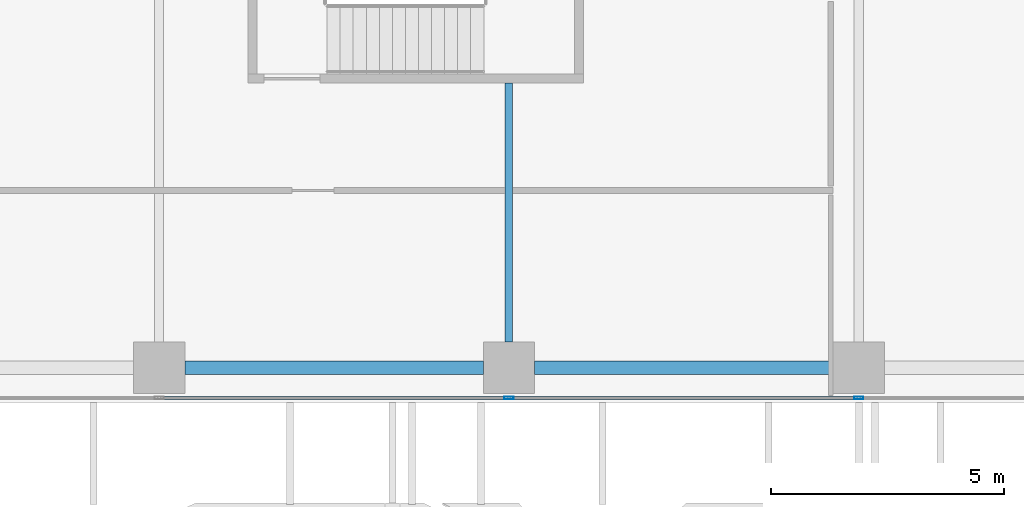
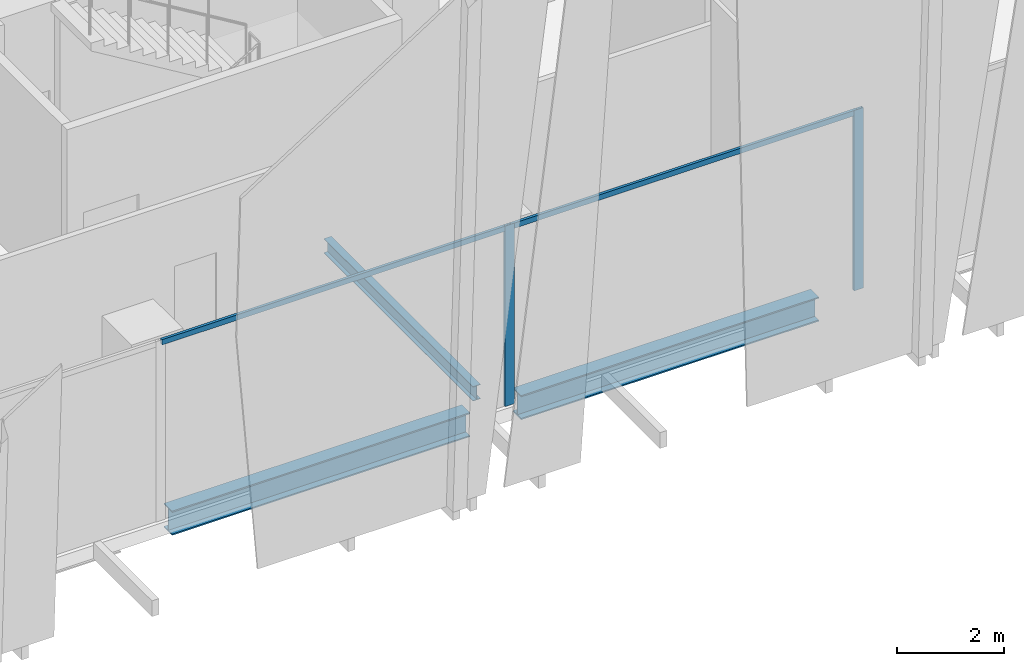
# One storey, part 3 of 35: 4 members, 3 beams, 1 element without a shape of its own.
"""IFC4 building model written with IfcOpenShell, lengths in metres."""

from ifc_helpers import new_model, si_unit, direction, frame, origin, origin_2d, place, context, subcontext, project, spatial, hollow_rectangle, i_section, extrude, source, transform, mapped, material, material_profile, profile_set, type_object, element, aggregate, save


model = new_model("IFC4")

# Units and contexts
model_context = context("Model", 3, precision=1e-05, world=origin(), true_north=direction((0.0, 1.0)))
body_context = subcontext(model_context, "Body", "Model", "MODEL_VIEW")
ifc_project = project(units=[si_unit("LENGTHUNIT", "METRE"), si_unit("AREAUNIT", "SQUARE_METRE"), si_unit("VOLUMEUNIT", "CUBIC_METRE"), si_unit("PLANEANGLEUNIT", "RADIAN"), si_unit("MASSUNIT", "GRAM", prefix="KILO")], contexts=[model_context])

# Site, building, storey
site_placement = place(None, origin())
site = spatial("IfcSite", under=ifc_project, at=site_placement, CompositionType="ELEMENT")
building_placement = place(site_placement, origin())
building = spatial("IfcBuilding", under=site, at=building_placement, Name="Khomas Fold Tower", CompositionType="ELEMENT")
storey_placement = place(building_placement, frame((0.0, 0.0, 127.89990234375)))
storey = spatial("IfcBuildingStorey", under=building, at=storey_placement, Name="L27", CompositionType="ELEMENT", Elevation=127.89990234375)

# Beams
ifc_material_1 = material(Name="Steel S355", Category="steel")
ifc_material_profile_1 = material_profile(ifc_material_1, i_section(OverallWidth=0.300048828125, OverallDepth=0.550048828125, WebThickness=0.014892578125, FlangeThickness=0.029052734375, at=origin_2d()), Name="HE 550 B")
ifc_profile_set_1 = profile_set([ifc_material_profile_1], Name="Steel S355")
beam_type_1 = type_object("IfcBeamType", Name="HE 550 B spandrel SB2", PredefinedType="SPANDREL", material=ifc_profile_set_1)
shared_shape_1 = source(origin(), body_context, "Body", "SweptSolid", [
    extrude(i_section(OverallWidth=0.300048828125, OverallDepth=0.550048828125, WebThickness=0.014892578125, FlangeThickness=0.029052734375, at=origin_2d()), origin(), (0.0, 0.0, 1.0), 6.39990234375),
])
for number, where, z_axis, x_axis, name in (
    (1, (12.550048828125, 2.25, -0.574951171875), (1.0, 0.0, 0.0), (0.0, 1.0, 0.0), "SB2"),
    (2, (20.050048828125, 2.25, -0.574951171875), (1.0, 0.0, 0.0), (0.0, 1.0, 0.0), "SB2"),
):
    element("IfcBeam", number, at=place(storey_placement, frame(where, z_axis=z_axis, x_axis=x_axis)), inside=storey, type_object=beam_type_1, Name=name, PredefinedType="SPANDREL", context=body_context, shape_type="MappedRepresentation", body=[
        mapped(shared_shape_1, transform((0.0, 0.0, 0.0))),
    ])
ifc_material_2 = material(Name="Steel S355", Category="steel")
ifc_material_profile_2 = material_profile(ifc_material_2, i_section(OverallWidth=0.159912109375, OverallDepth=0.330078125, WebThickness=0.007568359375, FlangeThickness=0.011474609375, at=origin_2d()), Name="IPE 330")
ifc_profile_set_2 = profile_set([ifc_material_profile_2], Name="Steel S355")
beam_type_2 = type_object("IfcBeamType", Name="IPE 330 beam JB1", PredefinedType="BEAM", material=ifc_profile_set_2)
shared_shape_2 = source(origin(), body_context, "Body", "SweptSolid", [
    extrude(i_section(OverallWidth=0.159912109375, OverallDepth=0.330078125, WebThickness=0.007568359375, FlangeThickness=0.011474609375, at=origin_2d()), origin(), (0.0, 0.0, 1.0), 5.550048828125),
])
beam_placement = place(storey_placement, frame((19.5, 2.800048828125, -0.46484375), z_axis=(0.0, 1.0, 0.0), x_axis=(-1.0, 0.0, 0.0)))
element("IfcBeam", 3, at=beam_placement, inside=storey, type_object=beam_type_2, Name="JB1", PredefinedType="BEAM", context=body_context, shape_type="MappedRepresentation", body=[
    mapped(shared_shape_2, transform((0.0, 0.0, 0.0))),
])

# Curtain wall, members
ifc_material_3 = material(Name="Aluminium framed double glazing", Category="aluminium")
curtain_wall_type = type_object("IfcCurtainWallType", Name="SK-Unitised clear-glass wall, growing floors CW1", PredefinedType="NOTDEFINED", material=ifc_material_3)
curtain_wall_placement = place(storey_placement, origin())
curtain_wall = element("IfcCurtainWall", 4, at=curtain_wall_placement, inside=storey, type_object=curtain_wall_type, Name="CW1 run L27 00-0", PredefinedType="NOTDEFINED")
ifc_material_4 = material(Name="Aluminium", Category="aluminium")
ifc_material_profile_3 = material_profile(ifc_material_4, hollow_rectangle(XDim=0.06005859375, YDim=0.1201171875, WallThickness=0.00390625, at=origin_2d()), Name="SK-Unitised clear-glass wall, growing floors transom CW1-T")
ifc_profile_set_3 = profile_set([ifc_material_profile_3], Name="Aluminium")
member_type_1 = type_object("IfcMemberType", Name="SK-Unitised clear-glass wall, growing floors transom CW1-T", PredefinedType="USERDEFINED", material=ifc_profile_set_3)
shared_shape_3 = source(origin(), body_context, "Body", "SweptSolid", [
    extrude(hollow_rectangle(XDim=0.06005859375, YDim=0.1201171875, WallThickness=0.00390625, at=origin_2d()), origin(), (0.0, 0.0, 1.0), 7.43994140625),
])
member_1_placement = place(storey_placement, frame((12.030029296875, 1.60009765625, 4.0400390625), z_axis=(1.0, 0.0, 0.0), x_axis=(0.0, 1.0, 0.0)))
member_1 = element("IfcMember", 5, at=member_1_placement, type_object=member_type_1, Name="CW1 transom 3", ObjectType="TRANSOM", PredefinedType="USERDEFINED", context=body_context, shape_type="MappedRepresentation", body=[
    mapped(shared_shape_3, transform((0.0, 0.0, 0.0))),
])
member_2_placement = place(storey_placement, frame((19.530029296875, 1.60009765625, 4.0400390625), z_axis=(1.0, 0.0, 0.0), x_axis=(0.0, 1.0, 0.0)))
member_2 = element("IfcMember", 6, at=member_2_placement, type_object=member_type_1, Name="CW1 transom 4", ObjectType="TRANSOM", PredefinedType="USERDEFINED", context=body_context, shape_type="MappedRepresentation", body=[
    mapped(shared_shape_3, transform((0.0, 0.0, 0.0))),
])
ifc_material_5 = material(Name="Aluminium", Category="aluminium")
ifc_material_profile_4 = material_profile(ifc_material_5, hollow_rectangle(XDim=0.06005859375, YDim=0.199951171875, WallThickness=0.00390625, at=origin_2d()), Name="SK-Unitised clear-glass wall, growing floors mullion CW1-M")
ifc_profile_set_4 = profile_set([ifc_material_profile_4], Name="Aluminium")
member_type_2 = type_object("IfcMemberType", Name="SK-Unitised clear-glass wall, growing floors mullion CW1-M", PredefinedType="MULLION", material=ifc_profile_set_4)
shared_shape_4 = source(origin(), body_context, "Body", "SweptSolid", [
    extrude(hollow_rectangle(XDim=0.06005859375, YDim=0.199951171875, WallThickness=0.00390625, at=origin_2d()), origin(), (0.0, 0.0, 1.0), 4.10009765625),
])
member_3_placement = place(storey_placement, frame((19.5, 1.60009765625, 0.0), z_axis=(0.0, 0.0, 1.0), x_axis=(0.0, 1.0, 0.0)))
member_3 = element("IfcMember", 7, at=member_3_placement, type_object=member_type_2, Name="CW1 mullion 4", PredefinedType="MULLION", context=body_context, shape_type="MappedRepresentation", body=[
    mapped(shared_shape_4, transform((0.0, 0.0, 0.0))),
])
member_4_placement = place(storey_placement, frame((27.0, 1.60009765625, 0.0), z_axis=(0.0, 0.0, 1.0), x_axis=(0.0, 1.0, 0.0)))
member_4 = element("IfcMember", 8, at=member_4_placement, type_object=member_type_2, Name="CW1 mullion 5", PredefinedType="MULLION", context=body_context, shape_type="MappedRepresentation", body=[
    mapped(shared_shape_4, transform((0.0, 0.0, 0.0))),
])
aggregate(curtain_wall, [member_3, member_4, member_1, member_2])

save(model, "model.ifc")
